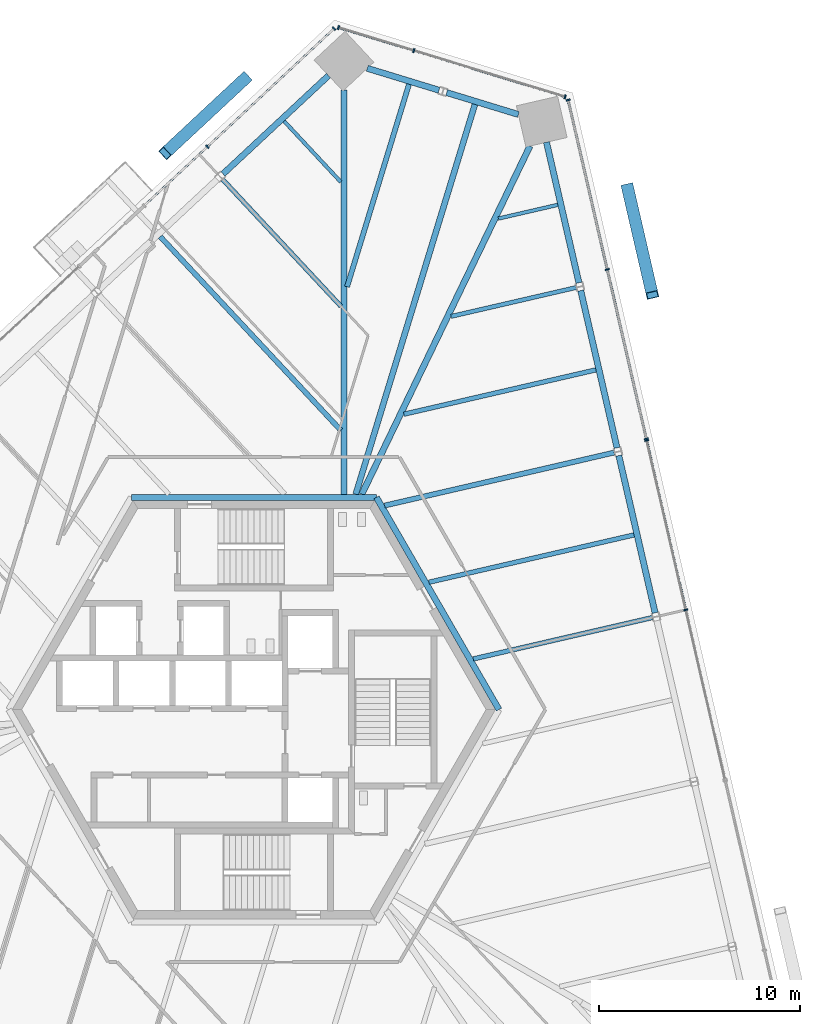
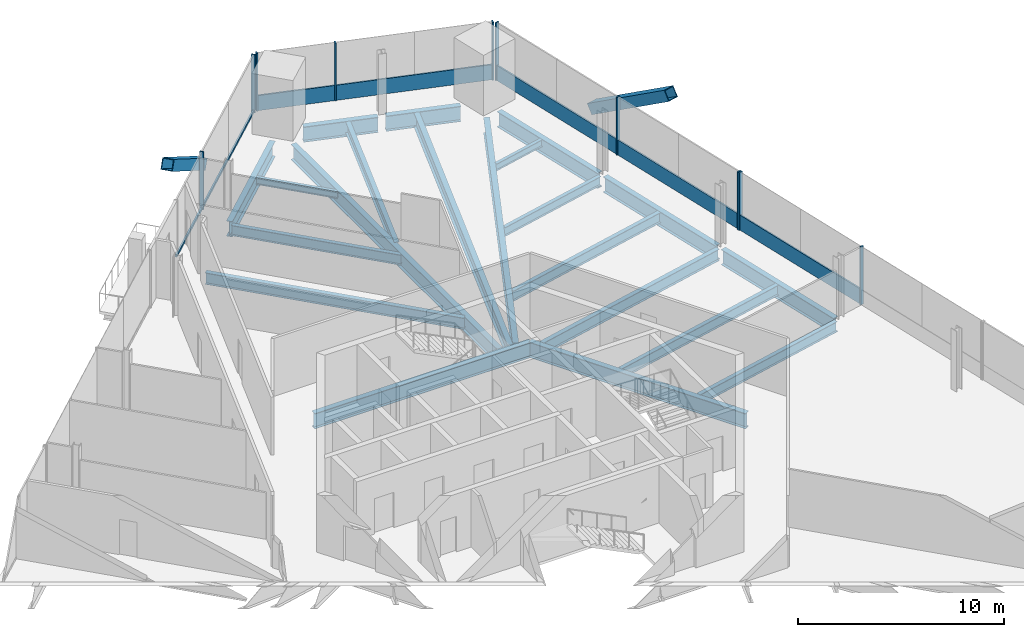
# One storey, part 9 of 18: 21 beams, 19 members, 4 elements without a shape of their own.
"""IFC4 building model written with IfcOpenShell, lengths in metres."""

import ifcopenshell
import ifcopenshell.guid

model = None  # the IFC model being written
_history = None  # IfcOwnerHistory: only IFC2X3 demands one
_inside = {}  # id of a spatial element -> (the spatial element, [elements in it])
_under = {}  # id of a project, library or spatial element -> (it, [spatial elements below it])
_declared = {}  # id of a project -> (the project, [libraries it declares])
_typed = {}  # id of a type object -> (the type object, [elements of that type])
_made_of = {}  # id of a material, layer set ... -> (it, [elements and type objects made of it])


def new_model(schema):
    """Start an empty IFC model of exactly this schema.

    Asked for "IFC4X3", IfcOpenShell would pick the latest addendum, in which some entities
    have other attributes; the version numbers below select the first issue.
    IFC2X3 requires an IfcOwnerHistory on every rooted entity: one is made here for all.
    """
    global model, _history
    if schema == "IFC4X3":
        model = ifcopenshell.file(schema_version=(4, 3, 0, 0))
    else:
        model = ifcopenshell.file(schema=schema)
    _inside.clear()
    _under.clear()
    _declared.clear()
    _typed.clear()
    _made_of.clear()
    _history = None
    if model.schema == "IFC2X3":
        org = make("IfcOrganization", Name="unknown")
        user = make(
            "IfcPersonAndOrganization",
            ThePerson=make("IfcPerson", FamilyName="unknown"),
            TheOrganization=org,
        )
        app = make(
            "IfcApplication",
            ApplicationDeveloper=org,
            Version="unknown",
            ApplicationFullName="unknown",
            ApplicationIdentifier="unknown",
        )
        _history = make(
            "IfcOwnerHistory",
            OwningUser=user,
            OwningApplication=app,
            ChangeAction="ADDED",
            CreationDate=0,
        )
    return model


def make(cls, **values):
    """One entity of the class cls with the attributes given. An attribute that is None is left unset."""
    return model.create_entity(
        cls, **{name: value for name, value in values.items() if value is not None}
    )


def rooted(cls, **values):
    """An entity with a GlobalId (a new one), such as an element, a storey or a relation."""
    return make(cls, GlobalId=ifcopenshell.guid.new(), OwnerHistory=_history, **values)


def si_unit(unit_type, name, prefix=None):
    """IfcSIUnit, for example si_unit("LENGTHUNIT", "METRE", prefix="MILLI")."""
    return make("IfcSIUnit", UnitType=unit_type, Prefix=prefix, Name=name)


def assignment(units):
    """IfcUnitAssignment: the units of a project."""
    return None if units is None else make("IfcUnitAssignment", Units=units)


def point(xyz):
    """IfcCartesianPoint."""
    return None if xyz is None else make("IfcCartesianPoint", Coordinates=xyz)


def direction(xyz):
    """IfcDirection."""
    return None if xyz is None else make("IfcDirection", DirectionRatios=xyz)


def frame(location, z_axis=None, x_axis=None):
    """IfcAxis2Placement3D, a coordinate frame: its origin and axes. An axis left out is left unset."""
    return make(
        "IfcAxis2Placement3D",
        Location=point(location),
        Axis=direction(z_axis),
        RefDirection=direction(x_axis),
    )


def frame_2d(location, x_axis=None):
    """IfcAxis2Placement2D, a coordinate frame in the plane: its origin and x axis."""
    return make(
        "IfcAxis2Placement2D", Location=point(location), RefDirection=direction(x_axis)
    )


def origin():
    """The frame at (0, 0, 0) with its axes left unset."""
    return frame((0.0, 0.0, 0.0))


def origin_2d():
    """The frame at (0, 0) in the plane with its x axis left unset."""
    return frame_2d((0.0, 0.0))


def place(relative_to, where):
    """IfcLocalPlacement: puts the frame where relative to a parent placement (None: the world)."""
    return make(
        "IfcLocalPlacement", PlacementRelTo=relative_to, RelativePlacement=where
    )


def context(
    kind, dimensions, precision=None, world=None, true_north=None, identifier=None
):
    """IfcGeometricRepresentationContext, for example the 3D "Model" context."""
    return make(
        "IfcGeometricRepresentationContext",
        ContextIdentifier=identifier,
        ContextType=kind,
        CoordinateSpaceDimension=dimensions,
        Precision=precision,
        WorldCoordinateSystem=world,
        TrueNorth=true_north,
    )


def subcontext(parent, identifier, kind, view, scale=None):
    """IfcGeometricRepresentationSubContext, for example "Body" below "Model"."""
    return make(
        "IfcGeometricRepresentationSubContext",
        ContextIdentifier=identifier,
        ContextType=kind,
        ParentContext=parent,
        TargetScale=scale,
        TargetView=view,
    )


def project(units=None, contexts=None):
    """IfcProject with its units and contexts."""
    return rooted(
        "IfcProject",
        Name="project",
        RepresentationContexts=contexts,
        UnitsInContext=assignment(units),
    )


def spatial(cls, under=None, at=None, **own):
    """A site, building, storey or space (cls), placed at a placement, below another one or the project."""
    s = rooted(cls, ObjectPlacement=at, **own)
    if under is not None:
        _under.setdefault(under.id(), (under, []))[1].append(s)
    return s


def profile(cls, at=None, kind="AREA", **sizes):
    """A parametric profile (cls). Its sizes go by their IFC names, for example OverallWidth=200.0."""
    return make(cls, ProfileType=kind, Position=at, **sizes)


def rectangle(**sizes):
    """IfcRectangleProfileDef."""
    return profile("IfcRectangleProfileDef", **sizes)


def hollow_rectangle(**sizes):
    """IfcRectangleHollowProfileDef."""
    return profile("IfcRectangleHollowProfileDef", **sizes)


def i_section(**sizes):
    """IfcIShapeProfileDef."""
    return profile("IfcIShapeProfileDef", **sizes)


def extrude(swept, where, along, depth):
    """IfcExtrudedAreaSolid: the profile swept, set in the frame where, extruded along a direction by depth."""
    return make(
        "IfcExtrudedAreaSolid",
        SweptArea=swept,
        Position=where,
        ExtrudedDirection=direction(along),
        Depth=depth,
    )


def shape(context_of_items, identifier, shape_type, items):
    """IfcShapeRepresentation: the items that make up one representation, for example the "Body"."""
    return make(
        "IfcShapeRepresentation",
        ContextOfItems=context_of_items,
        RepresentationIdentifier=identifier,
        RepresentationType=shape_type,
        Items=items,
    )


def source(mapping_origin, context_of_items, identifier, shape_type, items):
    """IfcRepresentationMap: a shape defined once, which mapped items show again and again."""
    return make(
        "IfcRepresentationMap",
        MappingOrigin=mapping_origin,
        MappedRepresentation=shape(context_of_items, identifier, shape_type, items),
    )


def transform(
    local_origin,
    x_axis=None,
    y_axis=None,
    z_axis=None,
    scale=None,
    scale2=None,
    scale3=None,
    uniform=True,
):
    """IfcCartesianTransformationOperator3D, or its non-uniform kind. x_axis, y_axis, z_axis: its Axis1, 2, 3."""
    if uniform:
        return make(
            "IfcCartesianTransformationOperator3D",
            Axis1=direction(x_axis),
            Axis2=direction(y_axis),
            LocalOrigin=point(local_origin),
            Scale=scale,
            Axis3=direction(z_axis),
        )
    return make(
        "IfcCartesianTransformationOperator3DnonUniform",
        Axis1=direction(x_axis),
        Axis2=direction(y_axis),
        LocalOrigin=point(local_origin),
        Scale=scale,
        Axis3=direction(z_axis),
        Scale2=scale2,
        Scale3=scale3,
    )


def mapped(mapping_source, mapping_target):
    """IfcMappedItem: shows the shape of a source again, moved by a transform."""
    return make(
        "IfcMappedItem", MappingSource=mapping_source, MappingTarget=mapping_target
    )


def material(Name=None, Category=None):
    """IfcMaterial."""
    return make("IfcMaterial", Name=Name, Category=Category)


def material_profile(
    of_material, cross_section, Name=None, Category=None, Priority=None
):
    """IfcMaterialProfile: a cross section and its material."""
    return make(
        "IfcMaterialProfile",
        Name=Name,
        Material=of_material,
        Profile=cross_section,
        Priority=Priority,
        Category=Category,
    )


def profile_set(profiles, Name=None, composite=None):
    """IfcMaterialProfileSet."""
    return make(
        "IfcMaterialProfileSet",
        Name=Name,
        MaterialProfiles=profiles,
        CompositeProfile=composite,
    )


def made_of(thing, what):
    """Note that an element or type object is made of a material, layer set ...; save() writes the relation."""
    if what is not None:
        _made_of.setdefault(what.id(), (what, []))[1].append(thing)
    return thing


def type_object(cls, material=None, **own):
    """A type object (cls), such as IfcWallType, which elements share."""
    return made_of(rooted(cls, **own), material)


def element(
    cls,
    number,
    at=None,
    inside=None,
    cuts=None,
    type_object=None,
    material=None,
    context=None,
    identifier="Body",
    shape_type=None,
    held_by="IfcProductDefinitionShape",
    body=None,
    shapes=None,
    **own,
):
    """One element of the class cls, such as IfcWall. Its Tag is "e" and its number.

    at: its placement. inside: the storey or other place that contains it. cuts: it is an
    opening in that element (IfcRelVoidsElement). A single representation is given by context,
    identifier, shape_type and body (its items); several are given by shapes. held_by: the class
    of the entity that holds the representations. save() writes the other relations.
    """
    e = rooted(cls, Tag="e%d" % number, ObjectPlacement=at, **own)
    if body is not None:
        shapes = [shape(context, identifier, shape_type, body)]
    if shapes is not None:
        e.Representation = make(held_by, Representations=shapes)
    if inside is not None:
        _inside.setdefault(inside.id(), (inside, []))[1].append(e)
    if cuts is not None:
        rooted(
            "IfcRelVoidsElement", RelatingBuildingElement=cuts, RelatedOpeningElement=e
        )
    if type_object is not None:
        _typed.setdefault(type_object.id(), (type_object, []))[1].append(e)
    return made_of(e, material)


def aggregate(whole, parts):
    """IfcRelAggregates: a whole, such as a stair, and the parts it consists of."""
    return rooted("IfcRelAggregates", RelatingObject=whole, RelatedObjects=parts)


def save(model, path):
    """Write the relations noted so far, then the file.

    IfcRelAggregates (storeys below a building ...), IfcRelContainedInSpatialStructure (elements
    in a storey), IfcRelDefinesByType, IfcRelAssociatesMaterial and IfcRelDeclares: one each for
    every whole, place, type object, material and project.
    """
    for whole, parts in _under.values():
        aggregate(whole, parts)
    for where, things in _inside.values():
        rooted(
            "IfcRelContainedInSpatialStructure",
            RelatedElements=things,
            RelatingStructure=where,
        )
    for kind, things in _typed.values():
        rooted("IfcRelDefinesByType", RelatedObjects=things, RelatingType=kind)
    for what, things in _made_of.values():
        rooted("IfcRelAssociatesMaterial", RelatedObjects=things, RelatingMaterial=what)
    for by, libraries in _declared.values():
        rooted("IfcRelDeclares", RelatingContext=by, RelatedDefinitions=libraries)
    model.write(path)


model = new_model("IFC4")

# Units and contexts
model_context = context("Model", 3, precision=1e-05, world=origin(), true_north=direction((0.0, 1.0)))
body_context = subcontext(model_context, "Body", "Model", "MODEL_VIEW")
ifc_project = project(units=[si_unit("LENGTHUNIT", "METRE"), si_unit("AREAUNIT", "SQUARE_METRE"), si_unit("VOLUMEUNIT", "CUBIC_METRE"), si_unit("PLANEANGLEUNIT", "RADIAN"), si_unit("MASSUNIT", "GRAM", prefix="KILO")], contexts=[model_context])

# Site, building, storey
site_placement = place(None, origin())
site = spatial("IfcSite", under=ifc_project, at=site_placement, CompositionType="ELEMENT")
building_placement = place(site_placement, origin())
building = spatial("IfcBuilding", under=site, at=building_placement, Name="Triune Harvest Tower", CompositionType="ELEMENT")
storey_placement = place(building_placement, frame((0.0, 0.0, 101.89990234375)))
storey = spatial("IfcBuildingStorey", under=building, at=storey_placement, Name="L25", CompositionType="ELEMENT", Elevation=101.89990234375)

# Beams
ifc_material_1 = material(Name="Steel ASTM A992 Gr 50", Category="steel")
ifc_material_profile_1 = material_profile(ifc_material_1, i_section(OverallWidth=0.3046875, OverallDepth=0.914306640625, WebThickness=0.0166015625, FlangeThickness=0.02587890625, at=origin_2d()), Name="W36x160")
ifc_profile_set_1 = profile_set([ifc_material_profile_1], Name="Steel ASTM A992 Gr 50")
beam_type_1 = type_object("IfcBeamType", Name="CG-1 Core ring girder W36x160", PredefinedType="BEAM", material=ifc_profile_set_1)
shared_shape_1 = source(origin(), body_context, "Body", "SweptSolid", [
    extrude(i_section(OverallWidth=0.3046875, OverallDepth=0.914306640625, WebThickness=0.0166015625, FlangeThickness=0.02587890625, at=origin_2d()), origin(), (0.0, 0.0, 1.0), 12.176025390625),
])
beam_1_placement = place(storey_placement, frame((12.176025390625, 0.0, -0.6171875), z_axis=(-0.5000099932, 0.866019634131, 0.0), x_axis=(-0.866019634131, -0.5000099932, 0.0)))
element("IfcBeam", 1, at=beam_1_placement, inside=storey, type_object=beam_type_1, Name="beam/L25/CG1", PredefinedType="BEAM", context=body_context, shape_type="MappedRepresentation", body=[
    mapped(shared_shape_1, transform((0.0, 0.0, 0.0), scale=1.0)),
])
shared_shape_2 = source(origin(), body_context, "Body", "SweptSolid", [
    extrude(i_section(OverallWidth=0.3046875, OverallDepth=0.914306640625, WebThickness=0.0166015625, FlangeThickness=0.02587890625, at=origin_2d()), origin(), (0.0, 0.0, 1.0), 12.17578125),
])
beam_2_placement = place(storey_placement, frame((6.087890625, 10.544677734375, -0.6171875), z_axis=(-1.0, 0.0, 0.0), x_axis=(0.0, -1.0, 0.0)))
element("IfcBeam", 2, at=beam_2_placement, inside=storey, type_object=beam_type_1, Name="beam/L25/CG2", PredefinedType="BEAM", context=body_context, shape_type="MappedRepresentation", body=[
    mapped(shared_shape_2, transform((0.0, 0.0, 0.0), scale=1.0)),
])
ifc_material_2 = material(Name="Steel ASTM A992 Gr 50", Category="steel")
ifc_material_profile_2 = material_profile(ifc_material_2, i_section(OverallWidth=0.3046875, OverallDepth=0.914306640625, WebThickness=0.0166015625, FlangeThickness=0.02587890625, at=origin_2d()), Name="W36x160")
ifc_profile_set_2 = profile_set([ifc_material_profile_2], Name="Steel ASTM A992 Gr 50")
beam_type_2 = type_object("IfcBeamType", Name="SB-1 Spandrel beam W36x160", PredefinedType="SPANDREL", material=ifc_profile_set_2)
shared_shape_3 = source(origin(), body_context, "Body", "SweptSolid", [
    extrude(i_section(OverallWidth=0.3046875, OverallDepth=0.914306640625, WebThickness=0.0166015625, FlangeThickness=0.02587890625, at=origin_2d()), origin(), (0.0, 0.0, 1.0), 8.0185546875),
])
beam_3_placement = place(storey_placement, frame((18.04248046875, 13.00439453125, -0.6171875), z_axis=(-0.224915098534, 0.974378365139, 0.0), x_axis=(-0.974378365139, -0.224915098534, 0.0)))
element("IfcBeam", 3, at=beam_3_placement, inside=storey, type_object=beam_type_2, Name="beam/L25/SB5", PredefinedType="SPANDREL", context=body_context, shape_type="MappedRepresentation", body=[
    mapped(shared_shape_3, transform((0.0, 0.0, 0.0), scale=1.0)),
])
shared_shape_4 = source(origin(), body_context, "Body", "SweptSolid", [
    extrude(i_section(OverallWidth=0.3046875, OverallDepth=0.914306640625, WebThickness=0.0166015625, FlangeThickness=0.02587890625, at=origin_2d()), origin(), (0.0, 0.0, 1.0), 8.01806640625),
])
beam_4_placement = place(storey_placement, frame((19.935546875, 4.805908203125, -0.6171875), z_axis=(-0.224957352975, 0.97436861061, 0.0), x_axis=(-0.97436861061, -0.224957352975, 0.0)))
element("IfcBeam", 4, at=beam_4_placement, inside=storey, type_object=beam_type_2, Name="beam/L25/SB4", PredefinedType="SPANDREL", context=body_context, shape_type="MappedRepresentation", body=[
    mapped(shared_shape_4, transform((0.0, 0.0, 0.0), scale=1.0)),
])
shared_shape_5 = source(origin(), body_context, "Body", "SweptSolid", [
    extrude(i_section(OverallWidth=0.3046875, OverallDepth=0.914306640625, WebThickness=0.0166015625, FlangeThickness=0.02587890625, at=origin_2d()), origin(), (0.0, 0.0, 1.0), 7.16650390625),
])
for number, where, z_axis, x_axis, name in (
    (5, (16.14990234375, 21.203369140625, -0.6171875), (-0.224981420466, 0.974363053715, 0.0), (-0.974363053715, -0.224981420466, 0.0), "beam/L25/SB6"),
    (6, (3.709228515625, 31.49658203125, -0.6171875), (-0.731357675554, -0.681994098515, 0.0), (0.681994098515, -0.731357675554, 0.0), "beam/L25/SB9"),
):
    element("IfcBeam", number, at=place(storey_placement, frame(where, z_axis=z_axis, x_axis=x_axis)), inside=storey, type_object=beam_type_2, Name=name, PredefinedType="SPANDREL", context=body_context, shape_type="MappedRepresentation", body=[
        mapped(shared_shape_5, transform((0.0, 0.0, 0.0), scale=1.0)),
    ])
shared_shape_6 = source(origin(), body_context, "Body", "SweptSolid", [
    extrude(i_section(OverallWidth=0.3046875, OverallDepth=0.914306640625, WebThickness=0.0166015625, FlangeThickness=0.02587890625, at=origin_2d()), origin(), (0.0, 0.0, 1.0), 3.72607421875),
])
beam_5_placement = place(storey_placement, frame((13.14208984375, 29.563720703125, -0.6171875), z_axis=(-0.956307307825, 0.292363357829, 0.0), x_axis=(-0.292363357829, -0.956307307825, 0.0)))
element("IfcBeam", 7, at=beam_5_placement, inside=storey, type_object=beam_type_2, Name="beam/L25/SB7", PredefinedType="SPANDREL", context=body_context, shape_type="MappedRepresentation", body=[
    mapped(shared_shape_6, transform((0.0, 0.0, 0.0), scale=1.0)),
])
shared_shape_7 = source(origin(), body_context, "Body", "SweptSolid", [
    extrude(i_section(OverallWidth=0.3046875, OverallDepth=0.914306640625, WebThickness=0.0166015625, FlangeThickness=0.02587890625, at=origin_2d()), origin(), (0.0, 0.0, 1.0), 3.725830078125),
])
beam_6_placement = place(storey_placement, frame((9.19970703125, 30.768798828125, -0.6171875), z_axis=(-0.956301706638, 0.292381678431, 0.0), x_axis=(-0.292381678431, -0.956301706638, 0.0)))
element("IfcBeam", 8, at=beam_6_placement, inside=storey, type_object=beam_type_2, Name="beam/L25/SB8", PredefinedType="SPANDREL", context=body_context, shape_type="MappedRepresentation", body=[
    mapped(shared_shape_7, transform((0.0, 0.0, 0.0), scale=1.0)),
])
ifc_material_3 = material(Name="Steel ASTM A992 Gr 50", Category="steel")
ifc_material_profile_3 = material_profile(ifc_material_3, i_section(OverallWidth=0.307373046875, OverallDepth=0.922119140625, WebThickness=0.018310546875, FlangeThickness=0.030029296875, at=origin_2d()), Name="W36x182")
ifc_profile_set_3 = profile_set([ifc_material_profile_3], Name="Steel ASTM A992 Gr 50")
beam_type_3 = type_object("IfcBeamType", Name="HG-2 Hip girder W36x182", PredefinedType="BEAM", material=ifc_profile_set_3)
shared_shape_8 = source(origin(), body_context, "Body", "SweptSolid", [
    extrude(i_section(OverallWidth=0.307373046875, OverallDepth=0.922119140625, WebThickness=0.018310546875, FlangeThickness=0.030029296875, at=origin_2d()), origin(), (0.0, 0.0, 1.0), 19.2109375),
])
beam_7_placement = place(storey_placement, frame((13.7158203125, 27.996337890625, -0.620849609375), z_axis=(-0.434869540736, -0.900493466129, 0.0), x_axis=(0.900493466129, -0.434869540736, 0.0)))
element("IfcBeam", 9, at=beam_7_placement, inside=storey, type_object=beam_type_3, Name="beam/L25/HG3", PredefinedType="BEAM", context=body_context, shape_type="MappedRepresentation", body=[
    mapped(shared_shape_8, transform((0.0, 0.0, 0.0), scale=1.0)),
])
shared_shape_9 = source(origin(), body_context, "Body", "SweptSolid", [
    extrude(i_section(OverallWidth=0.307373046875, OverallDepth=0.922119140625, WebThickness=0.018310546875, FlangeThickness=0.030029296875, at=origin_2d()), origin(), (0.0, 0.0, 1.0), 20.080078125),
])
beam_8_placement = place(storey_placement, frame((4.47705078125, 30.777099609375, -0.620849609375), z_axis=(0.0, -1.0, 0.0), x_axis=(1.0, 0.0, 0.0)))
element("IfcBeam", 10, at=beam_8_placement, inside=storey, type_object=beam_type_3, Name="beam/L25/HG4", PredefinedType="BEAM", context=body_context, shape_type="MappedRepresentation", body=[
    mapped(shared_shape_9, transform((0.0, 0.0, 0.0), scale=1.0)),
])
ifc_material_4 = material(Name="Steel ASTM A992 Gr 50", Category="steel")
ifc_material_profile_4 = material_profile(ifc_material_4, i_section(OverallWidth=0.22900390625, OverallDepth=0.612060546875, WebThickness=0.011962890625, FlangeThickness=0.01953125, at=origin_2d()), Name="W24x84")
ifc_profile_set_4 = profile_set([ifc_material_profile_4], Name="Steel ASTM A992 Gr 50")
beam_type_4 = type_object("IfcBeamType", Name="JT-3 Floor joist W24x84", PredefinedType="JOIST", material=ifc_profile_set_4)
shared_shape_10 = source(origin(), body_context, "Body", "SweptSolid", [
    extrude(i_section(OverallWidth=0.22900390625, OverallDepth=0.612060546875, WebThickness=0.011962890625, FlangeThickness=0.01953125, at=origin_2d()), origin(), (0.0, 0.0, 1.0), 9.129150390625),
])
beam_9_placement = place(storey_placement, frame((19.79443359375, 4.56982421875, -0.466064453125), z_axis=(-0.974374065454, -0.22493372484, 0.0), x_axis=(0.22493372484, -0.974374065454, 0.0)))
element("IfcBeam", 11, at=beam_9_placement, inside=storey, type_object=beam_type_4, Name="beam/L25/JT6", PredefinedType="JOIST", context=body_context, shape_type="MappedRepresentation", body=[
    mapped(shared_shape_10, transform((0.0, 0.0, 0.0), scale=1.0)),
])
shared_shape_11 = source(origin(), body_context, "Body", "SweptSolid", [
    extrude(i_section(OverallWidth=0.22900390625, OverallDepth=0.612060546875, WebThickness=0.011962890625, FlangeThickness=0.01953125, at=origin_2d()), origin(), (0.0, 0.0, 1.0), 10.45361328125),
])
beam_10_placement = place(storey_placement, frame((18.88525390625, 8.677978515625, -0.466064453125), z_axis=(-0.974370329956, -0.224949905758, 0.0), x_axis=(0.224949905758, -0.974370329956, 0.0)))
element("IfcBeam", 12, at=beam_10_placement, inside=storey, type_object=beam_type_4, Name="beam/L25/JT7", PredefinedType="JOIST", context=body_context, shape_type="MappedRepresentation", body=[
    mapped(shared_shape_11, transform((0.0, 0.0, 0.0), scale=1.0)),
])
ifc_material_5 = material(Name="Steel ASTM A992 Gr 50", Category="steel")
ifc_material_profile_5 = material_profile(ifc_material_5, i_section(OverallWidth=0.253662109375, OverallDepth=0.683349609375, WebThickness=0.012451171875, FlangeThickness=0.01904296875, at=origin_2d()), Name="W27x94")
ifc_profile_set_5 = profile_set([ifc_material_profile_5], Name="Steel ASTM A992 Gr 50")
beam_type_5 = type_object("IfcBeamType", Name="JT-4 Floor joist W27x94", PredefinedType="JOIST", material=ifc_profile_set_5)
shared_shape_12 = source(origin(), body_context, "Body", "SweptSolid", [
    extrude(i_section(OverallWidth=0.253662109375, OverallDepth=0.683349609375, WebThickness=0.012451171875, FlangeThickness=0.01904296875, at=origin_2d()), origin(), (0.0, 0.0, 1.0), 11.701904296875),
])
beam_11_placement = place(storey_placement, frame((17.901611328125, 12.768798828125, -0.50146484375), z_axis=(-0.974365520252, -0.224970737974, 0.0), x_axis=(0.224970737974, -0.974365520252, 0.0)))
element("IfcBeam", 13, at=beam_11_placement, inside=storey, type_object=beam_type_5, Name="beam/L25/JT8", PredefinedType="JOIST", context=body_context, shape_type="MappedRepresentation", body=[
    mapped(shared_shape_12, transform((0.0, 0.0, 0.0), scale=1.0)),
])
shared_shape_13 = source(origin(), body_context, "Body", "SweptSolid", [
    extrude(i_section(OverallWidth=0.22900390625, OverallDepth=0.612060546875, WebThickness=0.011962890625, FlangeThickness=0.01953125, at=origin_2d()), origin(), (0.0, 0.0, 1.0), 9.790283203125),
])
beam_12_placement = place(storey_placement, frame((16.9921875, 16.876708984375, -0.466064453125), z_axis=(-0.974368495141, -0.224957853113, 0.0), x_axis=(0.224957853113, -0.974368495141, 0.0)))
element("IfcBeam", 14, at=beam_12_placement, inside=storey, type_object=beam_type_4, Name="beam/L25/JT9", PredefinedType="JOIST", context=body_context, shape_type="MappedRepresentation", body=[
    mapped(shared_shape_13, transform((0.0, 0.0, 0.0), scale=1.0)),
])
ifc_material_6 = material(Name="Steel ASTM A992 Gr 50", Category="steel")
ifc_material_profile_6 = material_profile(ifc_material_6, i_section(OverallWidth=0.2099609375, OverallDepth=0.535888671875, WebThickness=0.010986328125, FlangeThickness=0.017333984375, at=origin_2d()), Name="W21x68")
ifc_profile_set_6 = profile_set([ifc_material_profile_6], Name="Steel ASTM A992 Gr 50")
beam_type_6 = type_object("IfcBeamType", Name="JT-2 Floor joist W21x68", PredefinedType="JOIST", material=ifc_profile_set_6)
shared_shape_14 = source(origin(), body_context, "Body", "SweptSolid", [
    extrude(i_section(OverallWidth=0.2099609375, OverallDepth=0.535888671875, WebThickness=0.010986328125, FlangeThickness=0.017333984375, at=origin_2d()), origin(), (0.0, 0.0, 1.0), 6.372314453125),
])
beam_13_placement = place(storey_placement, frame((16.0087890625, 20.967529296875, -0.427978515625), z_axis=(-0.974365360565, -0.224971429586, 0.0), x_axis=(0.224971429586, -0.974365360565, 0.0)))
element("IfcBeam", 15, at=beam_13_placement, inside=storey, type_object=beam_type_6, Name="beam/L25/JT10", PredefinedType="JOIST", context=body_context, shape_type="MappedRepresentation", body=[
    mapped(shared_shape_14, transform((0.0, 0.0, 0.0), scale=1.0)),
])
ifc_material_7 = material(Name="Steel ASTM A992 Gr 50", Category="steel")
ifc_material_profile_7 = material_profile(ifc_material_7, i_section(OverallWidth=0.180908203125, OverallDepth=0.41650390625, WebThickness=0.010986328125, FlangeThickness=0.01806640625, at=origin_2d()), Name="W16x57")
ifc_profile_set_7 = profile_set([ifc_material_profile_7], Name="Steel ASTM A992 Gr 50")
beam_type_7 = type_object("IfcBeamType", Name="JT-1 Floor joist W16x57", PredefinedType="JOIST", material=ifc_profile_set_7)
shared_shape_15 = source(origin(), body_context, "Body", "SweptSolid", [
    extrude(i_section(OverallWidth=0.180908203125, OverallDepth=0.41650390625, WebThickness=0.010986328125, FlangeThickness=0.01806640625, at=origin_2d()), origin(), (0.0, 0.0, 1.0), 3.0302734375),
])
beam_14_placement = place(storey_placement, frame((15.099365234375, 25.075439453125, -0.3681640625), z_axis=(-0.974372182121, -0.224941882957, 0.0), x_axis=(0.224941882957, -0.974372182121, 0.0)))
element("IfcBeam", 16, at=beam_14_placement, inside=storey, type_object=beam_type_7, Name="beam/L25/JT11", PredefinedType="JOIST", context=body_context, shape_type="MappedRepresentation", body=[
    mapped(shared_shape_15, transform((0.0, 0.0, 0.0), scale=1.0)),
])
ifc_material_8 = material(Name="Steel ASTM A992 Gr 50", Category="steel")
ifc_material_profile_8 = material_profile(ifc_material_8, i_section(OverallWidth=0.2919921875, OverallDepth=0.8583984375, WebThickness=0.01708984375, FlangeThickness=0.031005859375, at=origin_2d()), Name="W33x169")
ifc_profile_set_8 = profile_set([ifc_material_profile_8], Name="Steel ASTM A992 Gr 50")
beam_type_8 = type_object("IfcBeamType", Name="JT-7 Floor joist W33x169", PredefinedType="JOIST", material=ifc_profile_set_8)
shared_shape_16 = source(origin(), body_context, "Body", "SweptSolid", [
    extrude(i_section(OverallWidth=0.2919921875, OverallDepth=0.8583984375, WebThickness=0.01708984375, FlangeThickness=0.031005859375, at=origin_2d()), origin(), (0.0, 0.0, 1.0), 20.252685546875),
])
beam_15_placement = place(storey_placement, frame((10.982177734375, 30.064697265625, -0.589111328125), z_axis=(-0.292364925189, -0.956306828648, 0.0), x_axis=(0.956306828648, -0.292364925189, 0.0)))
element("IfcBeam", 17, at=beam_15_placement, inside=storey, type_object=beam_type_8, Name="beam/L25/JT12", PredefinedType="JOIST", context=body_context, shape_type="MappedRepresentation", body=[
    mapped(shared_shape_16, transform((0.0, 0.0, 0.0), scale=1.0)),
])
shared_shape_17 = source(origin(), body_context, "Body", "SweptSolid", [
    extrude(i_section(OverallWidth=0.253662109375, OverallDepth=0.683349609375, WebThickness=0.012451171875, FlangeThickness=0.01904296875, at=origin_2d()), origin(), (0.0, 0.0, 1.0), 10.522705078125),
])
beam_16_placement = place(storey_placement, frame((7.707275390625, 31.065673828125, -0.50146484375), z_axis=(-0.292358820543, -0.956308694957, 0.0), x_axis=(0.956308694957, -0.292358820543, 0.0)))
element("IfcBeam", 18, at=beam_16_placement, inside=storey, type_object=beam_type_5, Name="beam/L25/JT13", PredefinedType="JOIST", context=body_context, shape_type="MappedRepresentation", body=[
    mapped(shared_shape_17, transform((0.0, 0.0, 0.0), scale=1.0)),
])
shared_shape_18 = source(origin(), body_context, "Body", "SweptSolid", [
    extrude(i_section(OverallWidth=0.180908203125, OverallDepth=0.41650390625, WebThickness=0.010986328125, FlangeThickness=0.01806640625, at=origin_2d()), origin(), (0.0, 0.0, 1.0), 4.134033203125),
])
beam_17_placement = place(storey_placement, frame((1.504150390625, 29.23193359375, -0.3681640625), z_axis=(0.681989931417, -0.731361561367, 0.0), x_axis=(0.731361561367, 0.681989931417, 0.0)))
element("IfcBeam", 19, at=beam_17_placement, inside=storey, type_object=beam_type_7, Name="beam/L25/JT14", PredefinedType="JOIST", context=body_context, shape_type="MappedRepresentation", body=[
    mapped(shared_shape_18, transform((0.0, 0.0, 0.0), scale=1.0)),
])
shared_shape_19 = source(origin(), body_context, "Body", "SweptSolid", [
    extrude(i_section(OverallWidth=0.22900390625, OverallDepth=0.612060546875, WebThickness=0.011962890625, FlangeThickness=0.01953125, at=origin_2d()), origin(), (0.0, 0.0, 1.0), 8.607666015625),
])
beam_18_placement = place(storey_placement, frame((-1.546875, 26.334716796875, -0.466064453125), z_axis=(0.681999854465, -0.731352308063, 0.0), x_axis=(0.731352308063, 0.681999854465, 0.0)))
element("IfcBeam", 20, at=beam_18_placement, inside=storey, type_object=beam_type_4, Name="beam/L25/JT15", PredefinedType="JOIST", context=body_context, shape_type="MappedRepresentation", body=[
    mapped(shared_shape_19, transform((0.0, 0.0, 0.0), scale=1.0)),
])
shared_shape_20 = source(origin(), body_context, "Body", "SweptSolid", [
    extrude(i_section(OverallWidth=0.253662109375, OverallDepth=0.683349609375, WebThickness=0.012451171875, FlangeThickness=0.01904296875, at=origin_2d()), origin(), (0.0, 0.0, 1.0), 13.157470703125),
])
beam_19_placement = place(storey_placement, frame((-4.64990234375, 23.493408203125, -0.50146484375), z_axis=(0.681997545037, -0.731354461642, 0.0), x_axis=(0.731354461642, 0.681997545037, 0.0)))
element("IfcBeam", 21, at=beam_19_placement, inside=storey, type_object=beam_type_5, Name="beam/L25/JT16", PredefinedType="JOIST", context=body_context, shape_type="MappedRepresentation", body=[
    mapped(shared_shape_20, transform((0.0, 0.0, 0.0), scale=1.0)),
])

# Members
ifc_material_9 = material(Name="Steel ASTM A572 Gr 50", Category="steel")
ifc_material_profile_9 = material_profile(ifc_material_9, hollow_rectangle(XDim=0.60009765625, YDim=0.60009765625, WallThickness=0.0400390625, at=origin_2d()), Name="Box 600x600x40")
ifc_profile_set_9 = profile_set([ifc_material_profile_9], Name="Steel ASTM A572 Gr 50")
member_type_1 = type_object("IfcMemberType", Name="BR-2 Brace Box 600x600x40", PredefinedType="BRACE", material=ifc_profile_set_9)
shared_shape_21 = source(origin(), body_context, "Body", "SweptSolid", [
    extrude(hollow_rectangle(XDim=0.60009765625, YDim=0.60009765625, WallThickness=0.0400390625, at=origin_2d()), origin(), (0.0, 0.0, 1.0), 6.56640625),
])
for number, where, z_axis, x_axis, name in (
    (22, (18.5625, 25.9501953125, 0.0), (0.188130999407, -0.814874923715, 0.548256861117), (0.974369462042, 0.224953665097, 0.0), "brace/B3-F1/d2/2"),
    (23, (-0.400390625, 31.381591796875, 0.0), (-0.611651993945, -0.570344756375, 0.548259698664), (0.681979201201, -0.731371567077, 0.0), "brace/B3-F3/d1/2"),
):
    element("IfcMember", number, at=place(storey_placement, frame(where, z_axis=z_axis, x_axis=x_axis)), inside=storey, type_object=member_type_1, Name=name, PredefinedType="BRACE", context=body_context, shape_type="MappedRepresentation", body=[
        mapped(shared_shape_21, transform((0.0, 0.0, 0.0), scale=1.0)),
    ])

# Curtain wall, members
ifc_material_10 = material(Name="Aluminium bronze anodised", Category="aluminium")
curtain_wall_type_1 = type_object("IfcCurtainWallType", Name="CW-1 Tower stick curtain wall", PredefinedType="NOTDEFINED", material=ifc_material_10)
curtain_wall_1_placement = place(storey_placement, origin())
curtain_wall_1 = element("IfcCurtainWall", 24, at=curtain_wall_1_placement, inside=storey, type_object=curtain_wall_type_1, Name="CW-1 B3-F1 L25 run 1001")
ifc_material_11 = material(Name="Aluminium bronze anodised", Category="aluminium")
ifc_material_profile_10 = material_profile(ifc_material_11, rectangle(XDim=0.199951171875, YDim=0.074951171875, at=origin_2d()), Name="MU-1 mullion 75 x 200")
ifc_profile_set_10 = profile_set([ifc_material_profile_10], Name="Aluminium bronze anodised")
member_type_2 = type_object("IfcMemberType", Name="MU-1 mullion 75 x 200", PredefinedType="MULLION", material=ifc_profile_set_10)
shared_shape_22 = source(origin(), body_context, "Body", "SweptSolid", [
    extrude(rectangle(XDim=0.199951171875, YDim=0.074951171875, at=origin_2d()), origin(), (0.0, 0.0, 1.0), 3.440185546875),
])
member_1_placement = place(storey_placement, frame((21.459716796875, 4.954345703125, 0.0), z_axis=(0.0, 0.0, 1.0), x_axis=(-0.974369824591, -0.224952094735, 0.0)))
member_1 = element("IfcMember", 25, at=member_1_placement, type_object=member_type_2, Name="CW-1 mullion B3-F1 1001.3", PredefinedType="MULLION", context=body_context, shape_type="MappedRepresentation", body=[
    mapped(shared_shape_22, transform((0.0, 0.0, 0.0), scale=1.0)),
])
member_2_placement = place(storey_placement, frame((19.516357421875, 13.3720703125, 0.0), z_axis=(0.0, 0.0, 1.0), x_axis=(-0.974369824591, -0.224952094735, 0.0)))
member_2 = element("IfcMember", 26, at=member_2_placement, type_object=member_type_2, Name="CW-1 mullion B3-F1 1001.5", PredefinedType="MULLION", context=body_context, shape_type="MappedRepresentation", body=[
    mapped(shared_shape_22, transform((0.0, 0.0, 0.0), scale=1.0)),
])

ifc_material_12 = material(Name="Aluminium bronze anodised", Category="aluminium")
curtain_wall_type_2 = type_object("IfcCurtainWallType", Name="CW-7 Tower stick curtain wall with insulated spandrel infill", PredefinedType="NOTDEFINED", material=ifc_material_12)
curtain_wall_2_placement = place(storey_placement, origin())
curtain_wall_2 = element("IfcCurtainWall", 27, at=curtain_wall_2_placement, inside=storey, type_object=curtain_wall_type_2, Name="CW-7 B3-F1 L25 run 2001")
member_3_placement = place(storey_placement, frame((19.49951171875, 13.4453125, 0.0), z_axis=(0.0, 0.0, 1.0), x_axis=(-0.974370128597, -0.224950777946, 0.0)))
member_3 = element("IfcMember", 28, at=member_3_placement, type_object=member_type_2, Name="CW-7 mullion B3-F1 2001.1", PredefinedType="MULLION", context=body_context, shape_type="MappedRepresentation", body=[
    mapped(shared_shape_22, transform((0.0, 0.0, 0.0), scale=1.0)),
])
member_4_placement = place(storey_placement, frame((17.55615234375, 21.863037109375, 0.0), z_axis=(0.0, 0.0, 1.0), x_axis=(-0.974370128597, -0.224950777946, 0.0)))
member_4 = element("IfcMember", 29, at=member_4_placement, type_object=member_type_2, Name="CW-7 mullion B3-F1 2001.3", PredefinedType="MULLION", context=body_context, shape_type="MappedRepresentation", body=[
    mapped(shared_shape_22, transform((0.0, 0.0, 0.0), scale=1.0)),
])
member_5_placement = place(storey_placement, frame((15.61279296875, 30.28076171875, 0.0), z_axis=(0.0, 0.0, 1.0), x_axis=(-0.974370128597, -0.224950777946, 0.0)))
member_5 = element("IfcMember", 30, at=member_5_placement, type_object=member_type_2, Name="CW-7 mullion B3-F1 2001.5", PredefinedType="MULLION", context=body_context, shape_type="MappedRepresentation", body=[
    mapped(shared_shape_22, transform((0.0, 0.0, 0.0), scale=1.0)),
])

curtain_wall_3_placement = place(storey_placement, origin())
curtain_wall_3 = element("IfcCurtainWall", 31, at=curtain_wall_3_placement, inside=storey, type_object=curtain_wall_type_1, Name="CW-1 B3-F2 L25 run 1")
member_6_placement = place(storey_placement, frame((15.462158203125, 30.4423828125, 0.0), z_axis=(0.0, 0.0, 1.0), x_axis=(-0.292376962095, -0.956303148607, 0.0)))
member_6 = element("IfcMember", 32, at=member_6_placement, type_object=member_type_2, Name="CW-1 mullion B3-F2 1.1", PredefinedType="MULLION", context=body_context, shape_type="MappedRepresentation", body=[
    mapped(shared_shape_22, transform((0.0, 0.0, 0.0), scale=1.0)),
])
member_7_placement = place(storey_placement, frame((7.945068359375, 32.740478515625, 0.0), z_axis=(0.0, 0.0, 1.0), x_axis=(-0.292376962095, -0.956303148607, 0.0)))
member_7 = element("IfcMember", 33, at=member_7_placement, type_object=member_type_2, Name="CW-1 mullion B3-F2 1.3", PredefinedType="MULLION", context=body_context, shape_type="MappedRepresentation", body=[
    mapped(shared_shape_22, transform((0.0, 0.0, 0.0), scale=1.0)),
])
member_8_placement = place(storey_placement, frame((4.20458984375, 33.884033203125, 0.0), z_axis=(0.0, 0.0, 1.0), x_axis=(-0.292376962095, -0.956303148607, 0.0)))
member_8 = element("IfcMember", 34, at=member_8_placement, type_object=member_type_2, Name="CW-1 mullion B3-F2 1.4", PredefinedType="MULLION", context=body_context, shape_type="MappedRepresentation", body=[
    mapped(shared_shape_22, transform((0.0, 0.0, 0.0), scale=1.0)),
])

ifc_material_13 = material(Name="Aluminium bronze anodised", Category="aluminium")
curtain_wall_type_3 = type_object("IfcCurtainWallType", Name="CW-10 Balcony window wall with insulated spandrel infill", PredefinedType="NOTDEFINED", material=ifc_material_13)
curtain_wall_4_placement = place(storey_placement, origin())
curtain_wall_4 = element("IfcCurtainWall", 35, at=curtain_wall_4_placement, inside=storey, type_object=curtain_wall_type_3, Name="CW-10 B3-F3 L25 run 1")
ifc_material_14 = material(Name="Aluminium bronze anodised", Category="aluminium")
ifc_material_profile_11 = material_profile(ifc_material_14, rectangle(XDim=0.199951171875, YDim=0.074951171875, at=origin_2d()), Name="MU-6 mullion 75 x 200")
ifc_profile_set_11 = profile_set([ifc_material_profile_11], Name="Aluminium bronze anodised")
member_type_3 = type_object("IfcMemberType", Name="MU-6 mullion 75 x 200", PredefinedType="MULLION", material=ifc_profile_set_11)
shared_shape_23 = source(origin(), body_context, "Body", "SweptSolid", [
    extrude(rectangle(XDim=0.199951171875, YDim=0.074951171875, at=origin_2d()), origin(), (0.0, 0.0, 1.0), 3.440185546875),
])
member_9_placement = place(storey_placement, frame((3.9892578125, 33.83447265625, 0.0), z_axis=(0.0, 0.0, 1.0), x_axis=(0.681998722179, -0.73135336394, 0.0)))
member_9 = element("IfcMember", 36, at=member_9_placement, type_object=member_type_3, Name="CW-10 mullion B3-F3 1.1", PredefinedType="MULLION", context=body_context, shape_type="MappedRepresentation", body=[
    mapped(shared_shape_23, transform((0.0, 0.0, 0.0), scale=1.0)),
])
member_10_placement = place(storey_placement, frame((-2.30712890625, 27.962890625, 0.0), z_axis=(0.0, 0.0, 1.0), x_axis=(0.681998722179, -0.73135336394, 0.0)))
member_10 = element("IfcMember", 37, at=member_10_placement, type_object=member_type_3, Name="CW-10 mullion B3-F3 1.3", PredefinedType="MULLION", context=body_context, shape_type="MappedRepresentation", body=[
    mapped(shared_shape_23, transform((0.0, 0.0, 0.0), scale=1.0)),
])

# Member
ifc_material_15 = material(Name="Aluminium bronze anodised", Category="aluminium")
ifc_material_profile_12 = material_profile(ifc_material_15, rectangle(XDim=0.090087890625, YDim=0.89990234375, at=origin_2d()), Name="TR-1 transom 90 x 900")
ifc_profile_set_12 = profile_set([ifc_material_profile_12], Name="Aluminium bronze anodised")
member_type_4 = type_object("IfcMemberType", Name="TR-1 transom 90 x 900", PredefinedType="USERDEFINED", material=ifc_profile_set_12)
shared_shape_24 = source(origin(), body_context, "Body", "SweptSolid", [
    extrude(rectangle(XDim=0.090087890625, YDim=0.89990234375, at=origin_2d()), origin(), (0.0, 0.0, 1.0), 7.78564453125),
])
member_11_placement = place(storey_placement, frame((15.42626953125, 30.453125, 0.4501953125), z_axis=(-0.956300923205, 0.292384240817, 0.0), x_axis=(-0.292384240817, -0.956300923205, 0.0)))
member_11 = element("IfcMember", 38, at=member_11_placement, type_object=member_type_4, Name="CW-1 transom B3-F2 1.1", ObjectType="TRANSOM", PredefinedType="USERDEFINED", context=body_context, shape_type="MappedRepresentation", body=[
    mapped(shared_shape_24, transform((0.0, 0.0, 0.0), scale=1.0)),
])

shared_shape_25 = source(origin(), body_context, "Body", "SweptSolid", [
    extrude(rectangle(XDim=0.090087890625, YDim=0.89990234375, at=origin_2d()), origin(), (0.0, 0.0, 1.0), 3.83642578125),
])
member_12_placement = place(storey_placement, frame((7.9091796875, 32.75146484375, 0.4501953125), z_axis=(-0.956308580564, 0.292359194724, 0.0), x_axis=(-0.292359194724, -0.956308580564, 0.0)))
member_12 = element("IfcMember", 39, at=member_12_placement, type_object=member_type_4, Name="CW-1 transom B3-F2 1.2", ObjectType="TRANSOM", PredefinedType="USERDEFINED", context=body_context, shape_type="MappedRepresentation", body=[
    mapped(shared_shape_25, transform((0.0, 0.0, 0.0), scale=1.0)),
])

aggregate(curtain_wall_3, [member_6, member_7, member_8, member_11, member_12])

shared_shape_26 = source(origin(), body_context, "Body", "SweptSolid", [
    extrude(rectangle(XDim=0.090087890625, YDim=0.89990234375, at=origin_2d()), origin(), (0.0, 0.0, 1.0), 8.564208984375),
])
member_13_placement = place(storey_placement, frame((21.451416015625, 4.990966796875, 0.4501953125), z_axis=(-0.224976094921, 0.974364283374, 0.0), x_axis=(-0.974364283374, -0.224976094921, 0.0)))
member_13 = element("IfcMember", 40, at=member_13_placement, type_object=member_type_4, Name="CW-1 transom B3-F1 1001.2", ObjectType="TRANSOM", PredefinedType="USERDEFINED", context=body_context, shape_type="MappedRepresentation", body=[
    mapped(shared_shape_26, transform((0.0, 0.0, 0.0), scale=1.0)),
])

aggregate(curtain_wall_1, [member_1, member_2, member_13])

member_14_placement = place(storey_placement, frame((19.490966796875, 13.481689453125, 0.4501953125), z_axis=(-0.224949030659, 0.974370531988, 0.0), x_axis=(-0.974370531988, -0.224949030659, 0.0)))
member_14 = element("IfcMember", 41, at=member_14_placement, type_object=member_type_4, Name="CW-7 transom B3-F1 2001.1", ObjectType="TRANSOM", PredefinedType="USERDEFINED", context=body_context, shape_type="MappedRepresentation", body=[
    mapped(shared_shape_26, transform((0.0, 0.0, 0.0), scale=1.0)),
])

shared_shape_27 = source(origin(), body_context, "Body", "SweptSolid", [
    extrude(rectangle(XDim=0.090087890625, YDim=0.89990234375, at=origin_2d()), origin(), (0.0, 0.0, 1.0), 8.56396484375),
])
member_15_placement = place(storey_placement, frame((17.547607421875, 21.899658203125, 0.4501953125), z_axis=(-0.224955279106, 0.974369089412, 0.0), x_axis=(-0.974369089412, -0.224955279106, 0.0)))
member_15 = element("IfcMember", 42, at=member_15_placement, type_object=member_type_4, Name="CW-7 transom B3-F1 2001.2", ObjectType="TRANSOM", PredefinedType="USERDEFINED", context=body_context, shape_type="MappedRepresentation", body=[
    mapped(shared_shape_27, transform((0.0, 0.0, 0.0), scale=1.0)),
])

aggregate(curtain_wall_2, [member_3, member_4, member_5, member_14, member_15])

ifc_material_16 = material(Name="Aluminium bronze anodised", Category="aluminium")
ifc_material_profile_13 = material_profile(ifc_material_16, rectangle(XDim=0.090087890625, YDim=0.14990234375, at=origin_2d()), Name="TR-6 transom 90 x 150")
ifc_profile_set_13 = profile_set([ifc_material_profile_13], Name="Aluminium bronze anodised")
member_type_5 = type_object("IfcMemberType", Name="TR-6 transom 90 x 150", PredefinedType="USERDEFINED", material=ifc_profile_set_13)
shared_shape_28 = source(origin(), body_context, "Body", "SweptSolid", [
    extrude(rectangle(XDim=0.090087890625, YDim=0.14990234375, at=origin_2d()), origin(), (0.0, 0.0, 1.0), 8.5341796875),
])
member_16_placement = place(storey_placement, frame((3.9619140625, 33.808837890625, 0.0751953125), z_axis=(-0.731350108375, -0.682002213325, 0.0), x_axis=(0.682002213325, -0.731350108375, 0.0)))
member_16 = element("IfcMember", 43, at=member_16_placement, type_object=member_type_5, Name="CW-10 transom B3-F3 1.1", ObjectType="TRANSOM", PredefinedType="USERDEFINED", context=body_context, shape_type="MappedRepresentation", body=[
    mapped(shared_shape_28, transform((0.0, 0.0, 0.0), scale=1.0)),
])

shared_shape_29 = source(origin(), body_context, "Body", "SweptSolid", [
    extrude(rectangle(XDim=0.090087890625, YDim=0.14990234375, at=origin_2d()), origin(), (0.0, 0.0, 1.0), 4.2109375),
])
member_17_placement = place(storey_placement, frame((-2.33447265625, 27.9375, 0.0751953125), z_axis=(-0.731346335845, -0.682006258803, 0.0), x_axis=(0.682006258803, -0.731346335845, 0.0)))
member_17 = element("IfcMember", 44, at=member_17_placement, type_object=member_type_5, Name="CW-10 transom B3-F3 1.2", ObjectType="TRANSOM", PredefinedType="USERDEFINED", context=body_context, shape_type="MappedRepresentation", body=[
    mapped(shared_shape_29, transform((0.0, 0.0, 0.0), scale=1.0)),
])

aggregate(curtain_wall_4, [member_9, member_10, member_16, member_17])

save(model, "model.ifc")
